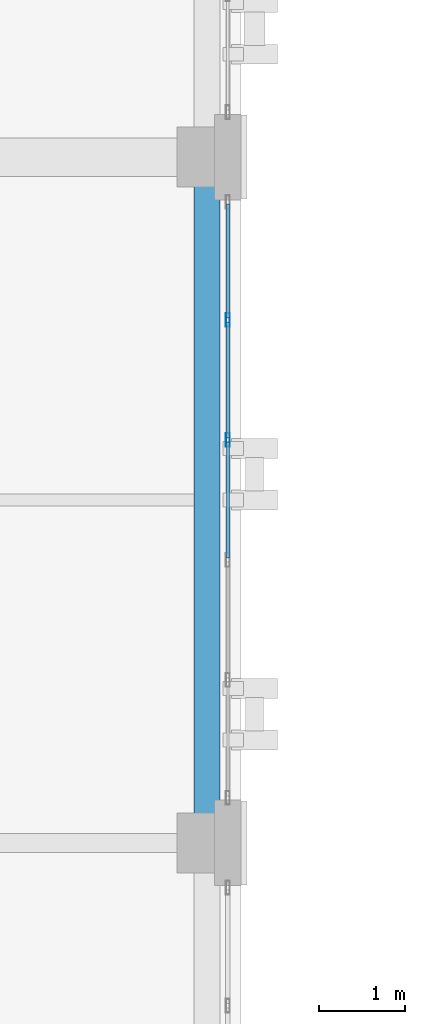
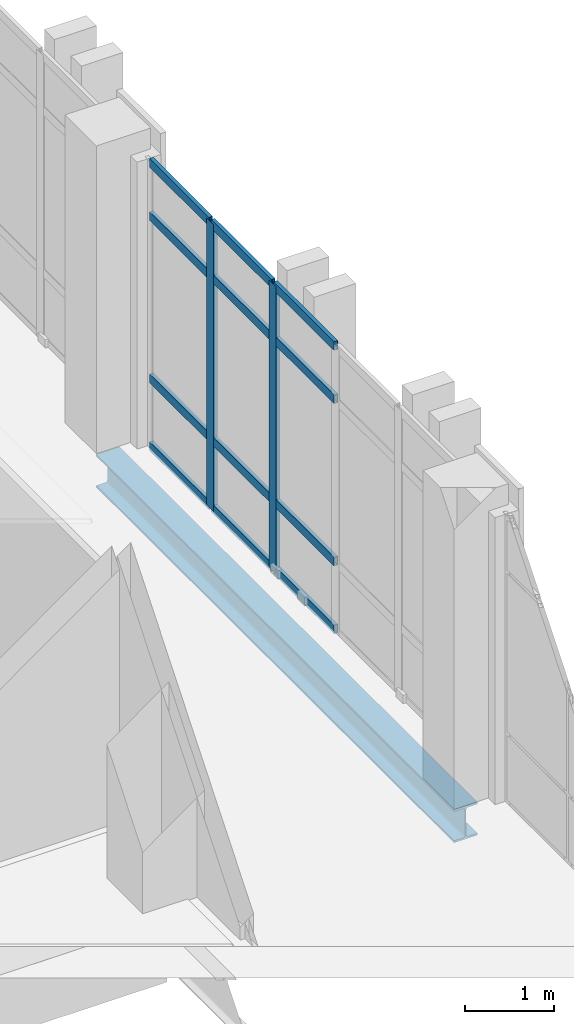
# One storey, part 32 of 193: 14 members, 1 beam, 1 element without a shape of its own.
"""IFC4 building model written with IfcOpenShell, lengths in metres."""

from ifc_helpers import new_model, si_unit, direction, frame, origin, origin_2d, place, context, subcontext, project, spatial, hollow_rectangle, i_section, extrude, material, layer, layer_set, material_profile, profile_set, type_object, element, aggregate, save


model = new_model("IFC4")

# Units and contexts
model_context = context("Model", 3, precision=1e-05, world=origin(), true_north=direction((0.0, 1.0)))
body_context = subcontext(model_context, "Body", "Model", "MODEL_VIEW")
ifc_project = project(units=[si_unit("LENGTHUNIT", "METRE"), si_unit("AREAUNIT", "SQUARE_METRE"), si_unit("VOLUMEUNIT", "CUBIC_METRE"), si_unit("PLANEANGLEUNIT", "RADIAN"), si_unit("MASSUNIT", "GRAM", prefix="KILO")], contexts=[model_context])

# Site, building, storey
site_placement = place(None, origin())
site = spatial("IfcSite", under=ifc_project, at=site_placement, CompositionType="ELEMENT")
building_placement = place(site_placement, origin())
building = spatial("IfcBuilding", under=site, at=building_placement, Name="Qalavern Law Courts", CompositionType="ELEMENT")
storey_placement = place(building_placement, frame((0.0, 0.0, 10.199951171875)))
storey = spatial("IfcBuildingStorey", under=building, at=storey_placement, Name="L02", CompositionType="ELEMENT", Elevation=10.199951171875)

# Curtain wall, members
ifc_material_1 = material(Name="Anodised aluminium and insulated glazing", Category="aluminium")
ifc_layer = layer(ifc_material_1, 0.172119140625)
ifc_layer_set = layer_set([ifc_layer], Name="Anodised aluminium and insulated glazing")
curtain_wall_type = type_object("IfcCurtainWallType", Name="ENV-CW-COURT", PredefinedType="USERDEFINED", material=ifc_layer_set)
curtain_wall_placement = place(storey_placement, origin())
curtain_wall = element("IfcCurtainWall", 1, at=curtain_wall_placement, inside=storey, type_object=curtain_wall_type, Name="V3 unitised curtain wall L02 east 3", ObjectType="UNITISED CURTAIN WALL", PredefinedType="USERDEFINED")
ifc_material_2 = material(Name="Anodised aluminium", Category="aluminium")
ifc_material_profile_1 = material_profile(ifc_material_2, hollow_rectangle(XDim=0.048095703125, YDim=0.159912109375, WallThickness=0.00390625, at=origin_2d()), Name="ALU MULLION 48x160")
ifc_profile_set_1 = profile_set([ifc_material_profile_1], Name="Anodised aluminium")
member_type_1 = type_object("IfcMemberType", Name="ENV-CWM-48x160", PredefinedType="MULLION", material=ifc_profile_set_1)
member_1_placement = place(storey_placement, frame((18.64501953125, 62.10009765625, 0.0), z_axis=(0.0, 0.0, 1.0), x_axis=(-1.0, 0.0, 0.0)))
member_1 = element("IfcMember", 2, at=member_1_placement, type_object=member_type_1, Name="CW-03 mullion 4", PredefinedType="MULLION", context=body_context, shape_type="SweptSolid", body=[
    extrude(hollow_rectangle(XDim=0.048095703125, YDim=0.159912109375, WallThickness=0.00390625, at=origin_2d()), origin(), (0.0, 0.0, 1.0), 3.9150390625),
])
member_2_placement = place(storey_placement, frame((18.64501953125, 63.5, 0.0), z_axis=(0.0, 0.0, 1.0), x_axis=(-1.0, 0.0, 0.0)))
member_2 = element("IfcMember", 3, at=member_2_placement, type_object=member_type_1, Name="CW-03 mullion 5", PredefinedType="MULLION", context=body_context, shape_type="SweptSolid", body=[
    extrude(hollow_rectangle(XDim=0.048095703125, YDim=0.159912109375, WallThickness=0.00390625, at=origin_2d()), origin(), (0.0, 0.0, 1.0), 3.9150390625),
])
ifc_material_profile_2 = material_profile(ifc_material_2, hollow_rectangle(XDim=0.048095703125, YDim=0.1201171875, WallThickness=0.00390625, at=origin_2d()), Name="ALU TRANSOM 48x120")
ifc_profile_set_2 = profile_set([ifc_material_profile_2], Name="Anodised aluminium")
member_type_2 = type_object("IfcMemberType", Name="ENV-CWT-48x120", PredefinedType="USERDEFINED", material=ifc_profile_set_2)
member_3_placement = place(storey_placement, frame((18.64501953125, 60.72412109375, 0.024169921875), z_axis=(0.0, 1.0, 0.0), x_axis=(-1.0, 0.0, 0.0)))
member_3 = element("IfcMember", 4, at=member_3_placement, type_object=member_type_2, Name="CW-03 transom 3.1", ObjectType="TRANSOM", PredefinedType="USERDEFINED", context=body_context, shape_type="SweptSolid", body=[
    extrude(hollow_rectangle(XDim=0.048095703125, YDim=0.1201171875, WallThickness=0.00390625, at=origin_2d()), origin(), (0.0, 0.0, 1.0), 1.351806640625),
])
member_4_placement = place(storey_placement, frame((18.64501953125, 60.72412109375, 0.949951171875), z_axis=(0.0, 1.0, 0.0), x_axis=(-1.0, 0.0, 0.0)))
member_4 = element("IfcMember", 5, at=member_4_placement, type_object=member_type_2, Name="CW-03 transom 3.2", ObjectType="TRANSOM", PredefinedType="USERDEFINED", context=body_context, shape_type="SweptSolid", body=[
    extrude(hollow_rectangle(XDim=0.048095703125, YDim=0.1201171875, WallThickness=0.00390625, at=origin_2d()), origin(), (0.0, 0.0, 1.0), 1.351806640625),
])
member_5_placement = place(storey_placement, frame((18.64501953125, 60.72412109375, 3.1650390625), z_axis=(0.0, 1.0, 0.0), x_axis=(-1.0, 0.0, 0.0)))
member_5 = element("IfcMember", 6, at=member_5_placement, type_object=member_type_2, Name="CW-03 transom 3.3", ObjectType="TRANSOM", PredefinedType="USERDEFINED", context=body_context, shape_type="SweptSolid", body=[
    extrude(hollow_rectangle(XDim=0.048095703125, YDim=0.1201171875, WallThickness=0.00390625, at=origin_2d()), origin(), (0.0, 0.0, 1.0), 1.351806640625),
])
member_6_placement = place(storey_placement, frame((18.64501953125, 60.72412109375, 3.89111328125), z_axis=(0.0, 1.0, 0.0), x_axis=(-1.0, 0.0, 0.0)))
member_6 = element("IfcMember", 7, at=member_6_placement, type_object=member_type_2, Name="CW-03 transom 3.4", ObjectType="TRANSOM", PredefinedType="USERDEFINED", context=body_context, shape_type="SweptSolid", body=[
    extrude(hollow_rectangle(XDim=0.048095703125, YDim=0.1201171875, WallThickness=0.00390625, at=origin_2d()), origin(), (0.0, 0.0, 1.0), 1.351806640625),
])
member_7_placement = place(storey_placement, frame((18.64501953125, 62.1240234375, 0.024169921875), z_axis=(0.0, 1.0, 0.0), x_axis=(-1.0, 0.0, 0.0)))
member_7 = element("IfcMember", 8, at=member_7_placement, type_object=member_type_2, Name="CW-03 transom 4.1", ObjectType="TRANSOM", PredefinedType="USERDEFINED", context=body_context, shape_type="SweptSolid", body=[
    extrude(hollow_rectangle(XDim=0.048095703125, YDim=0.1201171875, WallThickness=0.00390625, at=origin_2d()), origin(), (0.0, 0.0, 1.0), 1.35205078125),
])
member_8_placement = place(storey_placement, frame((18.64501953125, 62.1240234375, 0.949951171875), z_axis=(0.0, 1.0, 0.0), x_axis=(-1.0, 0.0, 0.0)))
member_8 = element("IfcMember", 9, at=member_8_placement, type_object=member_type_2, Name="CW-03 transom 4.2", ObjectType="TRANSOM", PredefinedType="USERDEFINED", context=body_context, shape_type="SweptSolid", body=[
    extrude(hollow_rectangle(XDim=0.048095703125, YDim=0.1201171875, WallThickness=0.00390625, at=origin_2d()), origin(), (0.0, 0.0, 1.0), 1.35205078125),
])
member_9_placement = place(storey_placement, frame((18.64501953125, 62.1240234375, 3.1650390625), z_axis=(0.0, 1.0, 0.0), x_axis=(-1.0, 0.0, 0.0)))
member_9 = element("IfcMember", 10, at=member_9_placement, type_object=member_type_2, Name="CW-03 transom 4.3", ObjectType="TRANSOM", PredefinedType="USERDEFINED", context=body_context, shape_type="SweptSolid", body=[
    extrude(hollow_rectangle(XDim=0.048095703125, YDim=0.1201171875, WallThickness=0.00390625, at=origin_2d()), origin(), (0.0, 0.0, 1.0), 1.35205078125),
])
member_10_placement = place(storey_placement, frame((18.64501953125, 62.1240234375, 3.89111328125), z_axis=(0.0, 1.0, 0.0), x_axis=(-1.0, 0.0, 0.0)))
member_10 = element("IfcMember", 11, at=member_10_placement, type_object=member_type_2, Name="CW-03 transom 4.4", ObjectType="TRANSOM", PredefinedType="USERDEFINED", context=body_context, shape_type="SweptSolid", body=[
    extrude(hollow_rectangle(XDim=0.048095703125, YDim=0.1201171875, WallThickness=0.00390625, at=origin_2d()), origin(), (0.0, 0.0, 1.0), 1.35205078125),
])
member_11_placement = place(storey_placement, frame((18.64501953125, 63.52392578125, 0.024169921875), z_axis=(0.0, 1.0, 0.0), x_axis=(-1.0, 0.0, 0.0)))
member_11 = element("IfcMember", 12, at=member_11_placement, type_object=member_type_2, Name="CW-03 transom 5.1", ObjectType="TRANSOM", PredefinedType="USERDEFINED", context=body_context, shape_type="SweptSolid", body=[
    extrude(hollow_rectangle(XDim=0.048095703125, YDim=0.1201171875, WallThickness=0.00390625, at=origin_2d()), origin(), (0.0, 0.0, 1.0), 1.328125),
])
member_12_placement = place(storey_placement, frame((18.64501953125, 63.52392578125, 0.949951171875), z_axis=(0.0, 1.0, 0.0), x_axis=(-1.0, 0.0, 0.0)))
member_12 = element("IfcMember", 13, at=member_12_placement, type_object=member_type_2, Name="CW-03 transom 5.2", ObjectType="TRANSOM", PredefinedType="USERDEFINED", context=body_context, shape_type="SweptSolid", body=[
    extrude(hollow_rectangle(XDim=0.048095703125, YDim=0.1201171875, WallThickness=0.00390625, at=origin_2d()), origin(), (0.0, 0.0, 1.0), 1.328125),
])
member_13_placement = place(storey_placement, frame((18.64501953125, 63.52392578125, 3.1650390625), z_axis=(0.0, 1.0, 0.0), x_axis=(-1.0, 0.0, 0.0)))
member_13 = element("IfcMember", 14, at=member_13_placement, type_object=member_type_2, Name="CW-03 transom 5.3", ObjectType="TRANSOM", PredefinedType="USERDEFINED", context=body_context, shape_type="SweptSolid", body=[
    extrude(hollow_rectangle(XDim=0.048095703125, YDim=0.1201171875, WallThickness=0.00390625, at=origin_2d()), origin(), (0.0, 0.0, 1.0), 1.328125),
])
member_14_placement = place(storey_placement, frame((18.64501953125, 63.52392578125, 3.89111328125), z_axis=(0.0, 1.0, 0.0), x_axis=(-1.0, 0.0, 0.0)))
member_14 = element("IfcMember", 15, at=member_14_placement, type_object=member_type_2, Name="CW-03 transom 5.4", ObjectType="TRANSOM", PredefinedType="USERDEFINED", context=body_context, shape_type="SweptSolid", body=[
    extrude(hollow_rectangle(XDim=0.048095703125, YDim=0.1201171875, WallThickness=0.00390625, at=origin_2d()), origin(), (0.0, 0.0, 1.0), 1.328125),
])
aggregate(curtain_wall, [member_1, member_2, member_3, member_4, member_5, member_6, member_7, member_8, member_9, member_10, member_11, member_12, member_13, member_14])

# Beam
ifc_material_3 = material(Name="Steel S355", Category="steel")
ifc_material_profile_3 = material_profile(ifc_material_3, i_section(OverallWidth=0.300048828125, OverallDepth=0.449951171875, WebThickness=0.013916015625, FlangeThickness=0.02587890625, FilletRadius=0.027099609375, at=origin_2d()), Name="HEB 450")
ifc_profile_set_3 = profile_set([ifc_material_profile_3], Name="Steel S355")
beam_type = type_object("IfcBeamType", Name="STR-SP-HEB450", PredefinedType="SPANDREL", material=ifc_profile_set_3)
beam_placement = place(storey_placement, frame((18.39990234375, 57.39990234375, -0.514892578125), z_axis=(0.0, 1.0, 0.0), x_axis=(-1.0, 0.0, 0.0)))
element("IfcBeam", 16, at=beam_placement, inside=storey, type_object=beam_type, Name="V3 Y-beam 3-3 L02", PredefinedType="SPANDREL", context=body_context, shape_type="SweptSolid", body=[
    extrude(i_section(OverallWidth=0.300048828125, OverallDepth=0.449951171875, WebThickness=0.013916015625, FlangeThickness=0.02587890625, FilletRadius=0.027099609375, at=origin_2d()), origin(), (0.0, 0.0, 1.0), 8.0),
])

save(model, "model.ifc")
